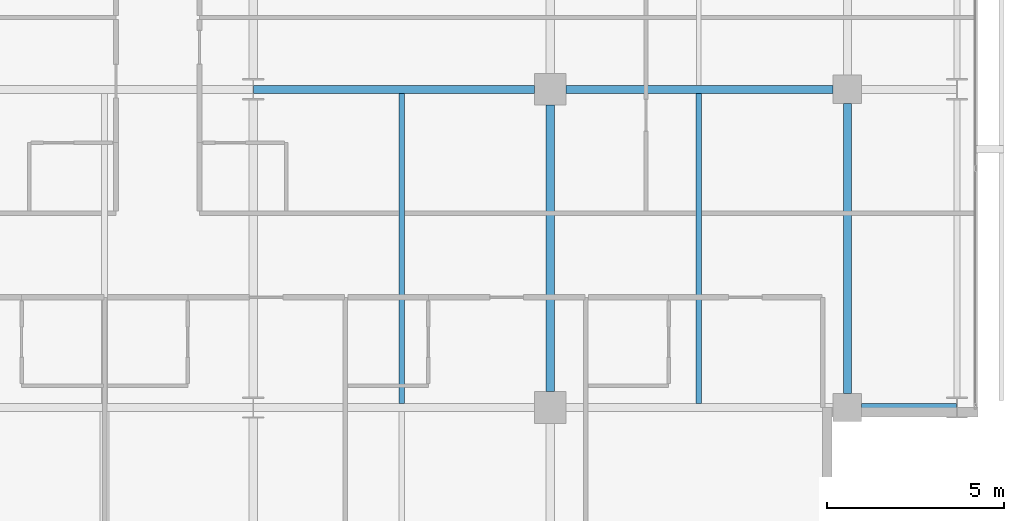
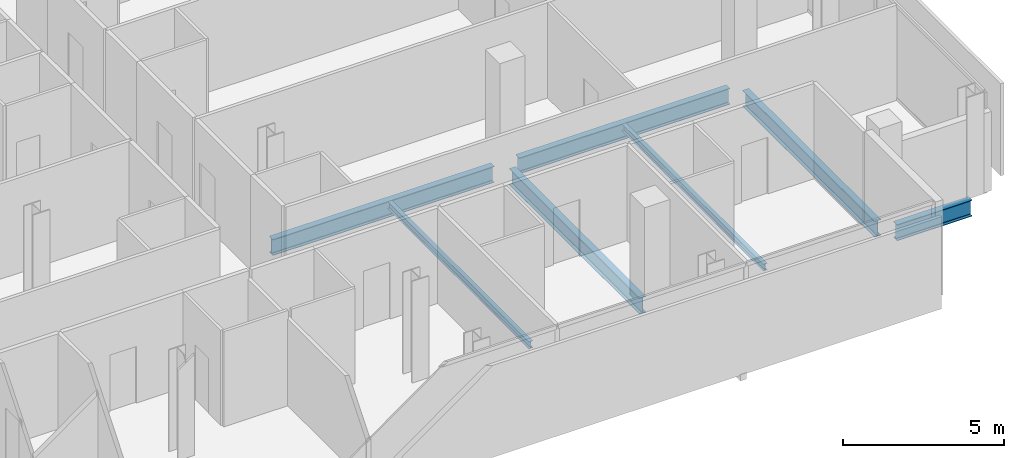
# One storey, part 14 of 33: 7 beams.
"""IFC4 building model written with IfcOpenShell, lengths in metres."""

from ifc_helpers import new_model, si_unit, direction, frame, origin, origin_2d, place, context, subcontext, project, spatial, i_section, extrude, material, material_profile, profile_set, type_object, element, save


model = new_model("IFC4")

# Units and contexts
model_context = context("Model", 3, precision=1e-05, world=origin(), true_north=direction((0.0, 1.0)))
body_context = subcontext(model_context, "Body", "Model", "MODEL_VIEW")
ifc_project = project(units=[si_unit("LENGTHUNIT", "METRE"), si_unit("AREAUNIT", "SQUARE_METRE"), si_unit("VOLUMEUNIT", "CUBIC_METRE"), si_unit("PLANEANGLEUNIT", "RADIAN"), si_unit("MASSUNIT", "GRAM", prefix="KILO")], contexts=[model_context])

# Site, building, storey
site_placement = place(None, origin())
site = spatial("IfcSite", under=ifc_project, at=site_placement, CompositionType="ELEMENT")
building_placement = place(site_placement, origin())
building = spatial("IfcBuilding", under=site, at=building_placement, Name="Maruvema Waterfront Hotel and Observation Tower", CompositionType="ELEMENT")
storey_placement = place(building_placement, frame((0.0, 0.0, 150.5)))
storey = spatial("IfcBuildingStorey", under=building, at=storey_placement, Name="L36", CompositionType="ELEMENT", Elevation=150.5)

# Beams
ifc_material_1 = material(Name="Steel ASTM A572 Grade 50", Category="steel")
ifc_material_profile_1 = material_profile(ifc_material_1, i_section(OverallWidth=0.22900390625, OverallDepth=0.612060546875, WebThickness=0.011962890625, FlangeThickness=0.01953125, FilletRadius=0.01806640625, at=origin_2d()), Name="W610x125.0")
ifc_profile_set_1 = profile_set([ifc_material_profile_1], Name="Steel ASTM A572 Grade 50")
beam_type_1 = type_object("IfcBeamType", Name="Primary Floor Girder W610x125.0", PredefinedType="BEAM", material=ifc_profile_set_1)
beam_1_placement = place(storey_placement, frame((59.199951171875, 9.0, -0.5458984375), z_axis=(1.0, 0.0, 0.0), x_axis=(0.0, 1.0, 0.0)))
element("IfcBeam", 1, at=beam_1_placement, inside=storey, type_object=beam_type_1, Name="L36 Floor Girder EW-10", PredefinedType="BEAM", context=body_context, shape_type="SweptSolid", body=[
    extrude(i_section(OverallWidth=0.22900390625, OverallDepth=0.612060546875, WebThickness=0.011962890625, FlangeThickness=0.01953125, FilletRadius=0.01806640625, at=origin_2d()), origin(), (0.0, 0.0, 1.0), 2.6875),
])
beam_2_placement = place(storey_placement, frame((42.012451171875, 18.0, -0.5458984375), z_axis=(1.0, 0.0, 0.0), x_axis=(0.0, 1.0, 0.0)))
element("IfcBeam", 2, at=beam_2_placement, inside=storey, type_object=beam_type_1, Name="L36 Floor Girder EW-15", PredefinedType="BEAM", context=body_context, shape_type="SweptSolid", body=[
    extrude(i_section(OverallWidth=0.22900390625, OverallDepth=0.612060546875, WebThickness=0.011962890625, FlangeThickness=0.01953125, FilletRadius=0.01806640625, at=origin_2d()), origin(), (0.0, 0.0, 1.0), 7.9375),
])
beam_3_placement = place(storey_placement, frame((50.85009765625, 18.0, -0.5458984375), z_axis=(1.0, 0.0, 0.0), x_axis=(0.0, 1.0, 0.0)))
element("IfcBeam", 3, at=beam_3_placement, inside=storey, type_object=beam_type_1, Name="L36 Floor Girder EW-16", PredefinedType="BEAM", context=body_context, shape_type="SweptSolid", body=[
    extrude(i_section(OverallWidth=0.22900390625, OverallDepth=0.612060546875, WebThickness=0.011962890625, FlangeThickness=0.01953125, FilletRadius=0.01806640625, at=origin_2d()), origin(), (0.0, 0.0, 1.0), 7.5498046875),
])
beam_4_placement = place(storey_placement, frame((50.39990234375, 9.449951171875, -0.5458984375), z_axis=(0.0, 1.0, 0.0), x_axis=(-1.0, 0.0, 0.0)))
element("IfcBeam", 4, at=beam_4_placement, inside=storey, type_object=beam_type_1, Name="L36 Floor Girder NS-21", PredefinedType="BEAM", context=body_context, shape_type="SweptSolid", body=[
    extrude(i_section(OverallWidth=0.22900390625, OverallDepth=0.612060546875, WebThickness=0.011962890625, FlangeThickness=0.01953125, FilletRadius=0.01806640625, at=origin_2d()), origin(), (0.0, 0.0, 1.0), 8.10009765625),
])
beam_5_placement = place(storey_placement, frame((58.800048828125, 9.39990234375, -0.5458984375), z_axis=(0.0, 1.0, 0.0), x_axis=(-1.0, 0.0, 0.0)))
element("IfcBeam", 5, at=beam_5_placement, inside=storey, type_object=beam_type_1, Name="L36 Floor Girder NS-25", PredefinedType="BEAM", context=body_context, shape_type="SweptSolid", body=[
    extrude(i_section(OverallWidth=0.22900390625, OverallDepth=0.612060546875, WebThickness=0.011962890625, FlangeThickness=0.01953125, FilletRadius=0.01806640625, at=origin_2d()), origin(), (0.0, 0.0, 1.0), 8.2001953125),
])
ifc_material_2 = material(Name="Steel ASTM A572 Grade 50", Category="steel")
ifc_material_profile_2 = material_profile(ifc_material_2, i_section(OverallWidth=0.14599609375, OverallDepth=0.258056640625, WebThickness=0.006103515625, FlangeThickness=0.009033203125, FilletRadius=0.012939453125, at=origin_2d()), Name="W250x32.7")
ifc_profile_set_2 = profile_set([ifc_material_profile_2], Name="Steel ASTM A572 Grade 50")
beam_type_2 = type_object("IfcBeamType", Name="Secondary Floor Joist W250x32.7", PredefinedType="JOIST", material=ifc_profile_set_2)
beam_6_placement = place(storey_placement, frame((54.60009765625, 9.114501953125, -0.368896484375), z_axis=(0.0, 1.0, 0.0), x_axis=(-1.0, 0.0, 0.0)))
element("IfcBeam", 6, at=beam_6_placement, inside=storey, type_object=beam_type_2, Name="L36 Secondary Floor Joist JS-11", PredefinedType="JOIST", context=body_context, shape_type="SweptSolid", body=[
    extrude(i_section(OverallWidth=0.14599609375, OverallDepth=0.258056640625, WebThickness=0.006103515625, FlangeThickness=0.009033203125, FilletRadius=0.012939453125, at=origin_2d()), origin(), (0.0, 0.0, 1.0), 8.77099609375),
])
ifc_material_3 = material(Name="Steel ASTM A572 Grade 50", Category="steel")
ifc_material_profile_3 = material_profile(ifc_material_3, i_section(OverallWidth=0.14794921875, OverallDepth=0.26611328125, WebThickness=0.007568359375, FlangeThickness=0.012939453125, FilletRadius=0.012939453125, at=origin_2d()), Name="W250x44.8")
ifc_profile_set_3 = profile_set([ifc_material_profile_3], Name="Steel ASTM A572 Grade 50")
beam_type_3 = type_object("IfcBeamType", Name="Secondary Floor Joist W250x44.8", PredefinedType="JOIST", material=ifc_profile_set_3)
beam_7_placement = place(storey_placement, frame((46.199951171875, 9.114501953125, -0.373046875), z_axis=(0.0, 1.0, 0.0), x_axis=(-1.0, 0.0, 0.0)))
element("IfcBeam", 7, at=beam_7_placement, inside=storey, type_object=beam_type_3, Name="L36 Secondary Floor Joist JS-10", PredefinedType="JOIST", context=body_context, shape_type="SweptSolid", body=[
    extrude(i_section(OverallWidth=0.14794921875, OverallDepth=0.26611328125, WebThickness=0.007568359375, FlangeThickness=0.012939453125, FilletRadius=0.012939453125, at=origin_2d()), origin(), (0.0, 0.0, 1.0), 8.77099609375),
])

save(model, "model.ifc")
